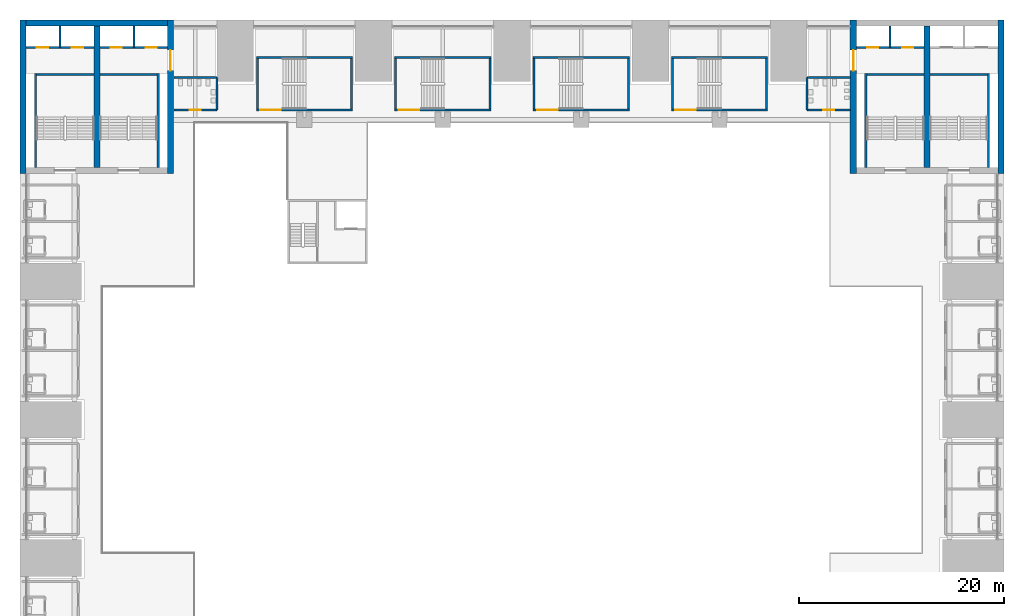
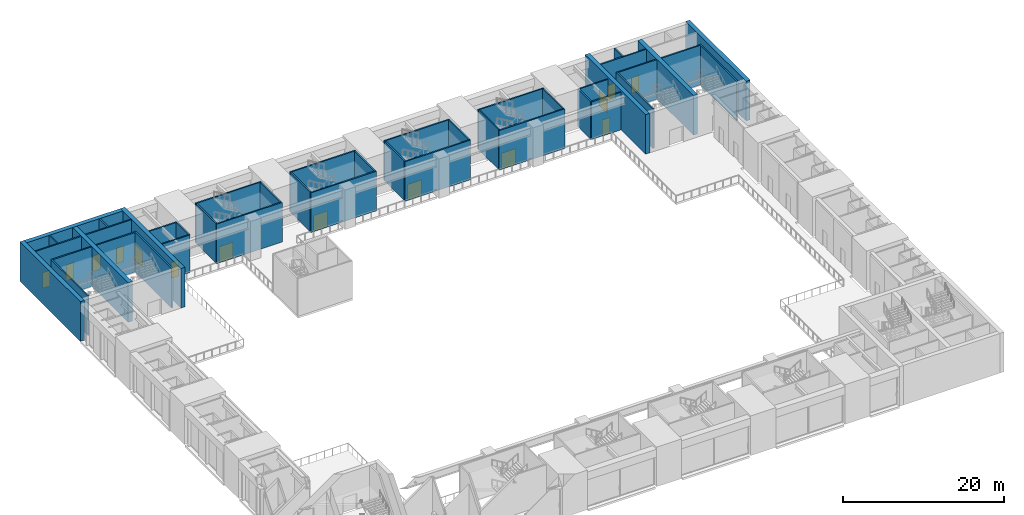
# One storey, part 18 of 43: 43 walls, 14 doors, 14 openings.
"""IFC4 building model written with IfcOpenShell, lengths in metres."""

import ifcopenshell
import ifcopenshell.guid

model = None  # the IFC model being written
_history = None  # IfcOwnerHistory: only IFC2X3 demands one
_inside = {}  # id of a spatial element -> (the spatial element, [elements in it])
_under = {}  # id of a project, library or spatial element -> (it, [spatial elements below it])
_declared = {}  # id of a project -> (the project, [libraries it declares])
_typed = {}  # id of a type object -> (the type object, [elements of that type])
_made_of = {}  # id of a material, layer set ... -> (it, [elements and type objects made of it])


def new_model(schema):
    """Start an empty IFC model of exactly this schema.

    Asked for "IFC4X3", IfcOpenShell would pick the latest addendum, in which some entities
    have other attributes; the version numbers below select the first issue.
    IFC2X3 requires an IfcOwnerHistory on every rooted entity: one is made here for all.
    """
    global model, _history
    if schema == "IFC4X3":
        model = ifcopenshell.file(schema_version=(4, 3, 0, 0))
    else:
        model = ifcopenshell.file(schema=schema)
    _inside.clear()
    _under.clear()
    _declared.clear()
    _typed.clear()
    _made_of.clear()
    _history = None
    if model.schema == "IFC2X3":
        org = make("IfcOrganization", Name="unknown")
        user = make(
            "IfcPersonAndOrganization",
            ThePerson=make("IfcPerson", FamilyName="unknown"),
            TheOrganization=org,
        )
        app = make(
            "IfcApplication",
            ApplicationDeveloper=org,
            Version="unknown",
            ApplicationFullName="unknown",
            ApplicationIdentifier="unknown",
        )
        _history = make(
            "IfcOwnerHistory",
            OwningUser=user,
            OwningApplication=app,
            ChangeAction="ADDED",
            CreationDate=0,
        )
    return model


def make(cls, **values):
    """One entity of the class cls with the attributes given. An attribute that is None is left unset."""
    return model.create_entity(
        cls, **{name: value for name, value in values.items() if value is not None}
    )


def rooted(cls, **values):
    """An entity with a GlobalId (a new one), such as an element, a storey or a relation."""
    return make(cls, GlobalId=ifcopenshell.guid.new(), OwnerHistory=_history, **values)


def si_unit(unit_type, name, prefix=None):
    """IfcSIUnit, for example si_unit("LENGTHUNIT", "METRE", prefix="MILLI")."""
    return make("IfcSIUnit", UnitType=unit_type, Prefix=prefix, Name=name)


def assignment(units):
    """IfcUnitAssignment: the units of a project."""
    return None if units is None else make("IfcUnitAssignment", Units=units)


def point(xyz):
    """IfcCartesianPoint."""
    return None if xyz is None else make("IfcCartesianPoint", Coordinates=xyz)


def direction(xyz):
    """IfcDirection."""
    return None if xyz is None else make("IfcDirection", DirectionRatios=xyz)


def frame(location, z_axis=None, x_axis=None):
    """IfcAxis2Placement3D, a coordinate frame: its origin and axes. An axis left out is left unset."""
    return make(
        "IfcAxis2Placement3D",
        Location=point(location),
        Axis=direction(z_axis),
        RefDirection=direction(x_axis),
    )


def frame_2d(location, x_axis=None):
    """IfcAxis2Placement2D, a coordinate frame in the plane: its origin and x axis."""
    return make(
        "IfcAxis2Placement2D", Location=point(location), RefDirection=direction(x_axis)
    )


def origin():
    """The frame at (0, 0, 0) with its axes left unset."""
    return frame((0.0, 0.0, 0.0))


def place(relative_to, where):
    """IfcLocalPlacement: puts the frame where relative to a parent placement (None: the world)."""
    return make(
        "IfcLocalPlacement", PlacementRelTo=relative_to, RelativePlacement=where
    )


def context(
    kind, dimensions, precision=None, world=None, true_north=None, identifier=None
):
    """IfcGeometricRepresentationContext, for example the 3D "Model" context."""
    return make(
        "IfcGeometricRepresentationContext",
        ContextIdentifier=identifier,
        ContextType=kind,
        CoordinateSpaceDimension=dimensions,
        Precision=precision,
        WorldCoordinateSystem=world,
        TrueNorth=true_north,
    )


def subcontext(parent, identifier, kind, view, scale=None):
    """IfcGeometricRepresentationSubContext, for example "Body" below "Model"."""
    return make(
        "IfcGeometricRepresentationSubContext",
        ContextIdentifier=identifier,
        ContextType=kind,
        ParentContext=parent,
        TargetScale=scale,
        TargetView=view,
    )


def project(units=None, contexts=None):
    """IfcProject with its units and contexts."""
    return rooted(
        "IfcProject",
        Name="project",
        RepresentationContexts=contexts,
        UnitsInContext=assignment(units),
    )


def spatial(cls, under=None, at=None, **own):
    """A site, building, storey or space (cls), placed at a placement, below another one or the project."""
    s = rooted(cls, ObjectPlacement=at, **own)
    if under is not None:
        _under.setdefault(under.id(), (under, []))[1].append(s)
    return s


def profile(cls, at=None, kind="AREA", **sizes):
    """A parametric profile (cls). Its sizes go by their IFC names, for example OverallWidth=200.0."""
    return make(cls, ProfileType=kind, Position=at, **sizes)


def rectangle(**sizes):
    """IfcRectangleProfileDef."""
    return profile("IfcRectangleProfileDef", **sizes)


def extrude(swept, where, along, depth):
    """IfcExtrudedAreaSolid: the profile swept, set in the frame where, extruded along a direction by depth."""
    return make(
        "IfcExtrudedAreaSolid",
        SweptArea=swept,
        Position=where,
        ExtrudedDirection=direction(along),
        Depth=depth,
    )


def shape(context_of_items, identifier, shape_type, items):
    """IfcShapeRepresentation: the items that make up one representation, for example the "Body"."""
    return make(
        "IfcShapeRepresentation",
        ContextOfItems=context_of_items,
        RepresentationIdentifier=identifier,
        RepresentationType=shape_type,
        Items=items,
    )


def material(Name=None, Category=None):
    """IfcMaterial."""
    return make("IfcMaterial", Name=Name, Category=Category)


def layer(
    of_material, thickness, ventilated=None, Name=None, Category=None, Priority=None
):
    """IfcMaterialLayer: one layer of a wall or slab, of a material (None: an air gap)."""
    return make(
        "IfcMaterialLayer",
        Material=of_material,
        LayerThickness=thickness,
        IsVentilated=ventilated,
        Name=Name,
        Category=Category,
        Priority=Priority,
    )


def layer_set(layers, Name=None):
    """IfcMaterialLayerSet."""
    return make("IfcMaterialLayerSet", MaterialLayers=layers, LayerSetName=Name)


def made_of(thing, what):
    """Note that an element or type object is made of a material, layer set ...; save() writes the relation."""
    if what is not None:
        _made_of.setdefault(what.id(), (what, []))[1].append(thing)
    return thing


def type_object(cls, material=None, **own):
    """A type object (cls), such as IfcWallType, which elements share."""
    return made_of(rooted(cls, **own), material)


def element(
    cls,
    number,
    at=None,
    inside=None,
    cuts=None,
    type_object=None,
    material=None,
    context=None,
    identifier="Body",
    shape_type=None,
    held_by="IfcProductDefinitionShape",
    body=None,
    shapes=None,
    **own,
):
    """One element of the class cls, such as IfcWall. Its Tag is "e" and its number.

    at: its placement. inside: the storey or other place that contains it. cuts: it is an
    opening in that element (IfcRelVoidsElement). A single representation is given by context,
    identifier, shape_type and body (its items); several are given by shapes. held_by: the class
    of the entity that holds the representations. save() writes the other relations.
    """
    e = rooted(cls, Tag="e%d" % number, ObjectPlacement=at, **own)
    if body is not None:
        shapes = [shape(context, identifier, shape_type, body)]
    if shapes is not None:
        e.Representation = make(held_by, Representations=shapes)
    if inside is not None:
        _inside.setdefault(inside.id(), (inside, []))[1].append(e)
    if cuts is not None:
        rooted(
            "IfcRelVoidsElement", RelatingBuildingElement=cuts, RelatedOpeningElement=e
        )
    if type_object is not None:
        _typed.setdefault(type_object.id(), (type_object, []))[1].append(e)
    return made_of(e, material)


def fill(opening, filler):
    """IfcRelFillsElement: the door or window that sits in an opening."""
    return rooted(
        "IfcRelFillsElement",
        RelatingOpeningElement=opening,
        RelatedBuildingElement=filler,
    )


def aggregate(whole, parts):
    """IfcRelAggregates: a whole, such as a stair, and the parts it consists of."""
    return rooted("IfcRelAggregates", RelatingObject=whole, RelatedObjects=parts)


def save(model, path):
    """Write the relations noted so far, then the file.

    IfcRelAggregates (storeys below a building ...), IfcRelContainedInSpatialStructure (elements
    in a storey), IfcRelDefinesByType, IfcRelAssociatesMaterial and IfcRelDeclares: one each for
    every whole, place, type object, material and project.
    """
    for whole, parts in _under.values():
        aggregate(whole, parts)
    for where, things in _inside.values():
        rooted(
            "IfcRelContainedInSpatialStructure",
            RelatedElements=things,
            RelatingStructure=where,
        )
    for kind, things in _typed.values():
        rooted("IfcRelDefinesByType", RelatedObjects=things, RelatingType=kind)
    for what, things in _made_of.values():
        rooted("IfcRelAssociatesMaterial", RelatedObjects=things, RelatingMaterial=what)
    for by, libraries in _declared.values():
        rooted("IfcRelDeclares", RelatingContext=by, RelatedDefinitions=libraries)
    model.write(path)


model = new_model("IFC4")

# Units and contexts
model_context = context("Model", 3, precision=1e-05, world=origin(), true_north=direction((0.0, 1.0)))
body_context = subcontext(model_context, "Body", "Model", "MODEL_VIEW")
ifc_project = project(units=[si_unit("LENGTHUNIT", "METRE"), si_unit("AREAUNIT", "SQUARE_METRE"), si_unit("VOLUMEUNIT", "CUBIC_METRE"), si_unit("PLANEANGLEUNIT", "RADIAN"), si_unit("MASSUNIT", "GRAM", prefix="KILO")], contexts=[model_context])

# Site, building, storey
site_placement = place(None, origin())
site = spatial("IfcSite", under=ifc_project, at=site_placement, CompositionType="ELEMENT")
building_placement = place(site_placement, origin())
building = spatial("IfcBuilding", under=site, at=building_placement, Name="Corbelhall Arena Tower", CompositionType="ELEMENT")
storey_placement = place(building_placement, frame((0.0, 0.0, 25.0)))
storey = spatial("IfcBuildingStorey", under=building, at=storey_placement, Name="L03", CompositionType="ELEMENT", Elevation=25.0)

# Wall, opening, door
ifc_material_1 = material(Name="Gypsum board on steel studs", Category="steel")
ifc_layer_1 = layer(ifc_material_1, 0.199951171875)
ifc_layer_set_1 = layer_set([ifc_layer_1], Name="AR-ROOM-WALL")
wall_type_1 = type_object("IfcWallType", Name="AR-ROOM-WALL", PredefinedType="PARTITIONING", material=ifc_layer_set_1)
wall_1_placement = place(storey_placement, frame((28.800048828125, 30.199951171875, 0.0), z_axis=(0.0, 0.0, 1.0), x_axis=(1.0, 0.0, 0.0)))
wall_1 = element("IfcWall", 1, at=wall_1_placement, inside=storey, type_object=wall_type_1, Name="Men's WC 1 wall", PredefinedType="PARTITIONING", context=body_context, shape_type="SweptSolid", body=[
    extrude(rectangle(XDim=4.199951171875, YDim=0.199951171875, at=frame_2d((2.10009765625, 0.0))), origin(), (0.0, 0.0, 1.0), 5.699951171875),
])
opening_1_placement = place(wall_1_placement, frame((1.550048828125, 0.0, 0.0)))
opening_1 = element("IfcOpeningElement", 2, at=opening_1_placement, cuts=wall_1, Name="Opening DA0415", PredefinedType="OPENING", context=body_context, shape_type="SweptSolid", body=[
    extrude(rectangle(XDim=1.10009765625, YDim=2.39990234375, at=frame_2d((0.550048828125, 1.199951171875))), frame((0.0, 0.10009765625, 0.0), z_axis=(0.0, -1.0, 0.0), x_axis=(1.0, 0.0, 0.0)), (0.0, 0.0, 1.0), 0.199951171875),
])
ifc_material_2 = material(Name="Timber", Category="wood")
door_type_1 = type_object("IfcDoorType", Name="AR-ROOM-DOOR", OperationType="DOUBLE_DOOR_SINGLE_SWING", PredefinedType="DOOR", material=ifc_material_2)
door_1_placement = place(opening_1_placement, origin())
door_1 = element("IfcDoor", 3, at=door_1_placement, inside=storey, type_object=door_type_1, Name="Men's WC 1 door", OperationType="DOUBLE_DOOR_SINGLE_SWING", OverallHeight=2.39990234375, OverallWidth=1.10009765625, PredefinedType="DOOR", context=body_context, shape_type="SweptSolid", body=[
    extrude(rectangle(XDim=1.10009765625, YDim=2.39990234375, at=frame_2d((0.550048828125, 1.199951171875))), frame((0.0, 0.02490234375, 0.0), z_axis=(0.0, -1.0, 0.0), x_axis=(1.0, 0.0, 0.0)), (0.0, 0.0, 1.0), 0.050048828125),
])
fill(opening_1, door_1)

# Walls
wall_2_placement = place(storey_placement, frame((28.800048828125, 30.199951171875, 0.0), z_axis=(0.0, 0.0, 1.0), x_axis=(0.0, 1.0, 0.0)))
element("IfcWall", 4, at=wall_2_placement, inside=storey, type_object=wall_type_1, Name="Men's WC 1 side wall", PredefinedType="PARTITIONING", context=body_context, shape_type="SweptSolid", body=[
    extrude(rectangle(XDim=3.199951171875, YDim=0.199951171875, at=frame_2d((1.60009765625, 0.0))), origin(), (0.0, 0.0, 1.0), 5.699951171875),
])
wall_3_placement = place(storey_placement, frame((28.800048828125, 33.39990234375, 0.0), z_axis=(0.0, 0.0, 1.0), x_axis=(1.0, 0.0, 0.0)))
element("IfcWall", 5, at=wall_3_placement, inside=storey, type_object=wall_type_1, Name="Men's WC 1 far wall", PredefinedType="PARTITIONING", context=body_context, shape_type="SweptSolid", body=[
    extrude(rectangle(XDim=4.199951171875, YDim=0.199951171875, at=frame_2d((2.10009765625, 0.0))), origin(), (0.0, 0.0, 1.0), 5.699951171875),
])

# Wall, opening, door
wall_4_placement = place(storey_placement, frame((-33.0, 30.199951171875, 0.0), z_axis=(0.0, 0.0, 1.0), x_axis=(1.0, 0.0, 0.0)))
wall_4 = element("IfcWall", 6, at=wall_4_placement, inside=storey, type_object=wall_type_1, Name="Women's WC 2 wall", PredefinedType="PARTITIONING", context=body_context, shape_type="SweptSolid", body=[
    extrude(rectangle(XDim=4.199951171875, YDim=0.199951171875, at=frame_2d((2.10009765625, 0.0))), origin(), (0.0, 0.0, 1.0), 5.699951171875),
])
opening_2_placement = place(wall_4_placement, frame((1.550048828125, 0.0, 0.0)))
opening_2 = element("IfcOpeningElement", 7, at=opening_2_placement, cuts=wall_4, Name="Opening DA0416", PredefinedType="OPENING", context=body_context, shape_type="SweptSolid", body=[
    extrude(rectangle(XDim=1.10009765625, YDim=2.39990234375, at=frame_2d((0.550048828125, 1.199951171875))), frame((0.0, 0.10009765625, 0.0), z_axis=(0.0, -1.0, 0.0), x_axis=(1.0, 0.0, 0.0)), (0.0, 0.0, 1.0), 0.199951171875),
])
door_2_placement = place(opening_2_placement, origin())
door_2 = element("IfcDoor", 8, at=door_2_placement, inside=storey, type_object=door_type_1, Name="Women's WC 2 door", OperationType="DOUBLE_DOOR_SINGLE_SWING", OverallHeight=2.39990234375, OverallWidth=1.10009765625, PredefinedType="DOOR", context=body_context, shape_type="SweptSolid", body=[
    extrude(rectangle(XDim=1.10009765625, YDim=2.39990234375, at=frame_2d((0.550048828125, 1.199951171875))), frame((0.0, 0.02490234375, 0.0), z_axis=(0.0, -1.0, 0.0), x_axis=(1.0, 0.0, 0.0)), (0.0, 0.0, 1.0), 0.050048828125),
])
fill(opening_2, door_2)

# Walls
wall_5_placement = place(storey_placement, frame((-28.800048828125, 30.199951171875, 0.0), z_axis=(0.0, 0.0, 1.0), x_axis=(0.0, 1.0, 0.0)))
element("IfcWall", 9, at=wall_5_placement, inside=storey, type_object=wall_type_1, Name="Women's WC 2 side wall", PredefinedType="PARTITIONING", context=body_context, shape_type="SweptSolid", body=[
    extrude(rectangle(XDim=3.199951171875, YDim=0.199951171875, at=frame_2d((1.60009765625, 0.0))), origin(), (0.0, 0.0, 1.0), 5.699951171875),
])
wall_6_placement = place(storey_placement, frame((-33.0, 33.39990234375, 0.0), z_axis=(0.0, 0.0, 1.0), x_axis=(1.0, 0.0, 0.0)))
element("IfcWall", 10, at=wall_6_placement, inside=storey, type_object=wall_type_1, Name="Women's WC 2 far wall", PredefinedType="PARTITIONING", context=body_context, shape_type="SweptSolid", body=[
    extrude(rectangle(XDim=4.199951171875, YDim=0.199951171875, at=frame_2d((2.10009765625, 0.0))), origin(), (0.0, 0.0, 1.0), 5.699951171875),
])

# Wall, openings, doors
ifc_material_3 = material(Name="Reinforced concrete C40/50", Category="concrete")
ifc_layer_2 = layer(ifc_material_3, 0.199951171875)
ifc_layer_set_2 = layer_set([ifc_layer_2], Name="AR-SHAFT-WALL")
wall_type_2 = type_object("IfcWallType", Name="AR-SHAFT-WALL", PredefinedType="SHEAR", material=ifc_layer_set_2)
wall_7_placement = place(storey_placement, frame((33.60009765625, 36.300048828125, 0.0), z_axis=(0.0, 0.0, 1.0), x_axis=(1.0, 0.0, 0.0)))
wall_7 = element("IfcWall", 11, at=wall_7_placement, inside=storey, type_object=wall_type_2, Name="Lift lobby wall NE", PredefinedType="SHEAR", context=body_context, shape_type="SweptSolid", body=[
    extrude(rectangle(XDim=6.599853515625, YDim=0.199951171875, at=frame_2d((3.2998046875, 0.0))), origin(), (0.0, 0.0, 1.0), 6.0),
])
opening_3_placement = place(wall_7_placement, frame((1.050048828125, 0.0, 0.0)))
opening_3 = element("IfcOpeningElement", 12, at=opening_3_placement, cuts=wall_7, Name="Opening LD0132", PredefinedType="OPENING", context=body_context, shape_type="SweptSolid", body=[
    extrude(rectangle(XDim=1.10009765625, YDim=2.39990234375, at=frame_2d((0.550048828125, 1.199951171875))), frame((0.0, 0.10009765625, 0.0), z_axis=(0.0, -1.0, 0.0), x_axis=(1.0, 0.0, 0.0)), (0.0, 0.0, 1.0), 0.199951171875),
])
opening_4_placement = place(wall_7_placement, frame((4.449951171875, 0.0, 0.0)))
opening_4 = element("IfcOpeningElement", 13, at=opening_4_placement, cuts=wall_7, Name="Opening LD0133", PredefinedType="OPENING", context=body_context, shape_type="SweptSolid", body=[
    extrude(rectangle(XDim=1.10009765625, YDim=2.39990234375, at=frame_2d((0.550048828125, 1.199951171875))), frame((0.0, 0.10009765625, 0.0), z_axis=(0.0, -1.0, 0.0), x_axis=(1.0, 0.0, 0.0)), (0.0, 0.0, 1.0), 0.199951171875),
])
ifc_material_4 = material(Name="Stainless steel A4", Category="steel")
door_type_2 = type_object("IfcDoorType", Name="AR-LANDING-DOOR", OperationType="DOUBLE_DOOR_SLIDING", PredefinedType="DOOR", material=ifc_material_4)
door_3_placement = place(opening_3_placement, origin())
door_3 = element("IfcDoor", 14, at=door_3_placement, inside=storey, type_object=door_type_2, Name="Landing door NE LF1 L03", OperationType="DOUBLE_DOOR_SLIDING", OverallHeight=2.39990234375, OverallWidth=1.10009765625, PredefinedType="DOOR", context=body_context, shape_type="SweptSolid", body=[
    extrude(rectangle(XDim=1.10009765625, YDim=2.39990234375, at=frame_2d((0.550048828125, 1.199951171875))), frame((0.0, 0.02490234375, 0.0), z_axis=(0.0, -1.0, 0.0), x_axis=(1.0, 0.0, 0.0)), (0.0, 0.0, 1.0), 0.050048828125),
])
fill(opening_3, door_3)
door_4_placement = place(opening_4_placement, origin())
door_4 = element("IfcDoor", 15, at=door_4_placement, inside=storey, type_object=door_type_2, Name="Landing door NE LF2 L03", OperationType="DOUBLE_DOOR_SLIDING", OverallHeight=2.39990234375, OverallWidth=1.10009765625, PredefinedType="DOOR", context=body_context, shape_type="SweptSolid", body=[
    extrude(rectangle(XDim=1.10009765625, YDim=2.39990234375, at=frame_2d((0.550048828125, 1.199951171875))), frame((0.0, 0.02490234375, 0.0), z_axis=(0.0, -1.0, 0.0), x_axis=(1.0, 0.0, 0.0)), (0.0, 0.0, 1.0), 0.050048828125),
])
fill(opening_4, door_4)

# Wall
wall_8_placement = place(storey_placement, frame((36.89990234375, 36.300048828125, 0.0), z_axis=(0.0, 0.0, 1.0), x_axis=(0.0, 1.0, 0.0)))
element("IfcWall", 16, at=wall_8_placement, inside=storey, type_object=wall_type_2, Name="Shaft wall NE", PredefinedType="SHEAR", context=body_context, shape_type="SweptSolid", body=[
    extrude(rectangle(XDim=2.099853515625, YDim=0.199951171875, at=frame_2d((1.0498046875, 0.0))), origin(), (0.0, 0.0, 1.0), 6.0),
])

# Wall, openings, doors
wall_9_placement = place(storey_placement, frame((-47.39990234375, 36.300048828125, 0.0), z_axis=(0.0, 0.0, 1.0), x_axis=(1.0, 0.0, 0.0)))
wall_9 = element("IfcWall", 17, at=wall_9_placement, inside=storey, type_object=wall_type_2, Name="Lift lobby wall NW", PredefinedType="SHEAR", context=body_context, shape_type="SweptSolid", body=[
    extrude(rectangle(XDim=6.599853515625, YDim=0.199951171875, at=frame_2d((3.2998046875, 0.0))), origin(), (0.0, 0.0, 1.0), 6.0),
])
opening_5_placement = place(wall_9_placement, frame((1.050048828125, 0.0, 0.0)))
opening_5 = element("IfcOpeningElement", 18, at=opening_5_placement, cuts=wall_9, Name="Opening LD0176", PredefinedType="OPENING", context=body_context, shape_type="SweptSolid", body=[
    extrude(rectangle(XDim=1.10009765625, YDim=2.39990234375, at=frame_2d((0.550048828125, 1.199951171875))), frame((0.0, 0.10009765625, 0.0), z_axis=(0.0, -1.0, 0.0), x_axis=(1.0, 0.0, 0.0)), (0.0, 0.0, 1.0), 0.199951171875),
])
opening_6_placement = place(wall_9_placement, frame((4.449951171875, 0.0, 0.0)))
opening_6 = element("IfcOpeningElement", 19, at=opening_6_placement, cuts=wall_9, Name="Opening LD0177", PredefinedType="OPENING", context=body_context, shape_type="SweptSolid", body=[
    extrude(rectangle(XDim=1.10009765625, YDim=2.39990234375, at=frame_2d((0.550048828125, 1.199951171875))), frame((0.0, 0.10009765625, 0.0), z_axis=(0.0, -1.0, 0.0), x_axis=(1.0, 0.0, 0.0)), (0.0, 0.0, 1.0), 0.199951171875),
])
door_5_placement = place(opening_5_placement, origin())
door_5 = element("IfcDoor", 20, at=door_5_placement, inside=storey, type_object=door_type_2, Name="Landing door NW LF3 L03", OperationType="DOUBLE_DOOR_SLIDING", OverallHeight=2.39990234375, OverallWidth=1.10009765625, PredefinedType="DOOR", context=body_context, shape_type="SweptSolid", body=[
    extrude(rectangle(XDim=1.10009765625, YDim=2.39990234375, at=frame_2d((0.550048828125, 1.199951171875))), frame((0.0, 0.02490234375, 0.0), z_axis=(0.0, -1.0, 0.0), x_axis=(1.0, 0.0, 0.0)), (0.0, 0.0, 1.0), 0.050048828125),
])
fill(opening_5, door_5)
door_6_placement = place(opening_6_placement, origin())
door_6 = element("IfcDoor", 21, at=door_6_placement, inside=storey, type_object=door_type_2, Name="Landing door NW LF4 L03", OperationType="DOUBLE_DOOR_SLIDING", OverallHeight=2.39990234375, OverallWidth=1.10009765625, PredefinedType="DOOR", context=body_context, shape_type="SweptSolid", body=[
    extrude(rectangle(XDim=1.10009765625, YDim=2.39990234375, at=frame_2d((0.550048828125, 1.199951171875))), frame((0.0, 0.02490234375, 0.0), z_axis=(0.0, -1.0, 0.0), x_axis=(1.0, 0.0, 0.0)), (0.0, 0.0, 1.0), 0.050048828125),
])
fill(opening_6, door_6)

wall_10_placement = place(storey_placement, frame((-40.199951171875, 36.300048828125, 0.0), z_axis=(0.0, 0.0, 1.0), x_axis=(1.0, 0.0, 0.0)))
wall_10 = element("IfcWall", 22, at=wall_10_placement, inside=storey, type_object=wall_type_2, Name="Lift lobby wall NW", PredefinedType="SHEAR", context=body_context, shape_type="SweptSolid", body=[
    extrude(rectangle(XDim=6.599853515625, YDim=0.199951171875, at=frame_2d((3.2998046875, 0.0))), origin(), (0.0, 0.0, 1.0), 6.0),
])
opening_7_placement = place(wall_10_placement, frame((1.050048828125, 0.0, 0.0)))
opening_7 = element("IfcOpeningElement", 23, at=opening_7_placement, cuts=wall_10, Name="Opening LD0178", PredefinedType="OPENING", context=body_context, shape_type="SweptSolid", body=[
    extrude(rectangle(XDim=1.10009765625, YDim=2.39990234375, at=frame_2d((0.550048828125, 1.199951171875))), frame((0.0, 0.10009765625, 0.0), z_axis=(0.0, -1.0, 0.0), x_axis=(1.0, 0.0, 0.0)), (0.0, 0.0, 1.0), 0.199951171875),
])
opening_8_placement = place(wall_10_placement, frame((4.449951171875, 0.0, 0.0)))
opening_8 = element("IfcOpeningElement", 24, at=opening_8_placement, cuts=wall_10, Name="Opening LD0179", PredefinedType="OPENING", context=body_context, shape_type="SweptSolid", body=[
    extrude(rectangle(XDim=1.10009765625, YDim=2.39990234375, at=frame_2d((0.550048828125, 1.199951171875))), frame((0.0, 0.10009765625, 0.0), z_axis=(0.0, -1.0, 0.0), x_axis=(1.0, 0.0, 0.0)), (0.0, 0.0, 1.0), 0.199951171875),
])
door_7_placement = place(opening_7_placement, origin())
door_7 = element("IfcDoor", 25, at=door_7_placement, inside=storey, type_object=door_type_2, Name="Landing door NW LF1 L03", OperationType="DOUBLE_DOOR_SLIDING", OverallHeight=2.39990234375, OverallWidth=1.10009765625, PredefinedType="DOOR", context=body_context, shape_type="SweptSolid", body=[
    extrude(rectangle(XDim=1.10009765625, YDim=2.39990234375, at=frame_2d((0.550048828125, 1.199951171875))), frame((0.0, 0.02490234375, 0.0), z_axis=(0.0, -1.0, 0.0), x_axis=(1.0, 0.0, 0.0)), (0.0, 0.0, 1.0), 0.050048828125),
])
fill(opening_7, door_7)
door_8_placement = place(opening_8_placement, origin())
door_8 = element("IfcDoor", 26, at=door_8_placement, inside=storey, type_object=door_type_2, Name="Landing door NW LF2 L03", OperationType="DOUBLE_DOOR_SLIDING", OverallHeight=2.39990234375, OverallWidth=1.10009765625, PredefinedType="DOOR", context=body_context, shape_type="SweptSolid", body=[
    extrude(rectangle(XDim=1.10009765625, YDim=2.39990234375, at=frame_2d((0.550048828125, 1.199951171875))), frame((0.0, 0.02490234375, 0.0), z_axis=(0.0, -1.0, 0.0), x_axis=(1.0, 0.0, 0.0)), (0.0, 0.0, 1.0), 0.050048828125),
])
fill(opening_8, door_8)

# Walls
for number, where, z_axis, x_axis, name in (
    (27, (-36.89990234375, 36.300048828125, 0.0), (0.0, 0.0, 1.0), (0.0, 1.0, 0.0), "Shaft wall NW"),
    (28, (-44.10009765625, 36.300048828125, 0.0), (0.0, 0.0, 1.0), (0.0, 1.0, 0.0), "Shaft wall NW"),
):
    element("IfcWall", number, at=place(storey_placement, frame(where, z_axis=z_axis, x_axis=x_axis)), inside=storey, type_object=wall_type_2, Name=name, PredefinedType="SHEAR", context=body_context, shape_type="SweptSolid", body=[
        extrude(rectangle(XDim=2.099853515625, YDim=0.199951171875, at=frame_2d((1.0498046875, 0.0))), origin(), (0.0, 0.0, 1.0), 6.0),
    ])

# Wall, opening, door
ifc_layer_3 = layer(ifc_material_3, 0.199951171875)
ifc_layer_set_3 = layer_set([ifc_layer_3], Name="AR-STAIR-WALL")
wall_type_3 = type_object("IfcWallType", Name="AR-STAIR-WALL", PredefinedType="SOLIDWALL", material=ifc_layer_set_3)
wall_11_placement = place(storey_placement, frame((-24.949951171875, 30.199951171875, 0.0), z_axis=(0.0, 0.0, 1.0), x_axis=(1.0, 0.0, 0.0)))
wall_11 = element("IfcWall", 29, at=wall_11_placement, inside=storey, type_object=wall_type_3, Name="Stair AS9 wall", PredefinedType="SOLIDWALL", context=body_context, shape_type="SweptSolid", body=[
    extrude(rectangle(XDim=9.39990234375, YDim=0.199951171875, at=frame_2d((4.699951171875, 0.0))), origin(), (0.0, 0.0, 1.0), 6.0),
])
opening_9_placement = place(wall_11_placement, frame((0.39990234375, 0.0, 0.0)))
opening_9 = element("IfcOpeningElement", 30, at=opening_9_placement, cuts=wall_11, Name="Opening DA0004", PredefinedType="OPENING", context=body_context, shape_type="SweptSolid", body=[
    extrude(rectangle(XDim=2.0, YDim=2.39990234375, at=frame_2d((1.0, 1.199951171875))), frame((0.0, 0.10009765625, 0.0), z_axis=(0.0, -1.0, 0.0), x_axis=(1.0, 0.0, 0.0)), (0.0, 0.0, 1.0), 0.199951171875),
])
ifc_material_5 = material(Name="Steel and glass", Category="steel")
door_type_3 = type_object("IfcDoorType", Name="AR-STAIR-DOOR", OperationType="DOUBLE_DOOR_SINGLE_SWING", PredefinedType="DOOR", material=ifc_material_5)
door_9_placement = place(opening_9_placement, origin())
door_9 = element("IfcDoor", 31, at=door_9_placement, inside=storey, type_object=door_type_3, Name="Stair AS9 door", OperationType="DOUBLE_DOOR_SINGLE_SWING", OverallHeight=2.39990234375, OverallWidth=2.0, PredefinedType="DOOR", context=body_context, shape_type="SweptSolid", body=[
    extrude(rectangle(XDim=2.0, YDim=2.39990234375, at=frame_2d((1.0, 1.199951171875))), frame((0.0, 0.02490234375, 0.0), z_axis=(0.0, -1.0, 0.0), x_axis=(1.0, 0.0, 0.0)), (0.0, 0.0, 1.0), 0.050048828125),
])
fill(opening_9, door_9)

# Walls
wall_12_placement = place(storey_placement, frame((-24.949951171875, 35.35009765625, 0.0), z_axis=(0.0, 0.0, 1.0), x_axis=(1.0, 0.0, 0.0)))
element("IfcWall", 32, at=wall_12_placement, inside=storey, type_object=wall_type_3, Name="Stair AS9 wall", PredefinedType="SOLIDWALL", context=body_context, shape_type="SweptSolid", body=[
    extrude(rectangle(XDim=9.39990234375, YDim=0.199951171875, at=frame_2d((4.699951171875, 0.0))), origin(), (0.0, 0.0, 1.0), 6.0),
])
for number, where, z_axis, x_axis, name in (
    (33, (-24.85009765625, 30.300048828125, 0.0), (0.0, 0.0, 1.0), (0.0, 1.0, 0.0), "Stair AS9 wall"),
    (34, (-15.64990234375, 30.300048828125, 0.0), (0.0, 0.0, 1.0), (0.0, 1.0, 0.0), "Stair AS9 wall"),
):
    element("IfcWall", number, at=place(storey_placement, frame(where, z_axis=z_axis, x_axis=x_axis)), inside=storey, type_object=wall_type_3, Name=name, PredefinedType="SOLIDWALL", context=body_context, shape_type="SweptSolid", body=[
        extrude(rectangle(XDim=4.949951171875, YDim=0.199951171875, at=frame_2d((2.47509765625, 0.0))), origin(), (0.0, 0.0, 1.0), 6.0),
    ])

# Wall, opening, door
wall_13_placement = place(storey_placement, frame((-11.449951171875, 30.199951171875, 0.0), z_axis=(0.0, 0.0, 1.0), x_axis=(1.0, 0.0, 0.0)))
wall_13 = element("IfcWall", 35, at=wall_13_placement, inside=storey, type_object=wall_type_3, Name="Stair AS10 wall", PredefinedType="SOLIDWALL", context=body_context, shape_type="SweptSolid", body=[
    extrude(rectangle(XDim=9.39990234375, YDim=0.199951171875, at=frame_2d((4.699951171875, 0.0))), origin(), (0.0, 0.0, 1.0), 6.0),
])
opening_10_placement = place(wall_13_placement, frame((0.39990234375, 0.0, 0.0)))
opening_10 = element("IfcOpeningElement", 36, at=opening_10_placement, cuts=wall_13, Name="Opening DA0010", PredefinedType="OPENING", context=body_context, shape_type="SweptSolid", body=[
    extrude(rectangle(XDim=2.0, YDim=2.39990234375, at=frame_2d((1.0, 1.199951171875))), frame((0.0, 0.10009765625, 0.0), z_axis=(0.0, -1.0, 0.0), x_axis=(1.0, 0.0, 0.0)), (0.0, 0.0, 1.0), 0.199951171875),
])
door_10_placement = place(opening_10_placement, origin())
door_10 = element("IfcDoor", 37, at=door_10_placement, inside=storey, type_object=door_type_3, Name="Stair AS10 door", OperationType="DOUBLE_DOOR_SINGLE_SWING", OverallHeight=2.39990234375, OverallWidth=2.0, PredefinedType="DOOR", context=body_context, shape_type="SweptSolid", body=[
    extrude(rectangle(XDim=2.0, YDim=2.39990234375, at=frame_2d((1.0, 1.199951171875))), frame((0.0, 0.02490234375, 0.0), z_axis=(0.0, -1.0, 0.0), x_axis=(1.0, 0.0, 0.0)), (0.0, 0.0, 1.0), 0.050048828125),
])
fill(opening_10, door_10)

# Walls
wall_14_placement = place(storey_placement, frame((-11.449951171875, 35.35009765625, 0.0), z_axis=(0.0, 0.0, 1.0), x_axis=(1.0, 0.0, 0.0)))
element("IfcWall", 38, at=wall_14_placement, inside=storey, type_object=wall_type_3, Name="Stair AS10 wall", PredefinedType="SOLIDWALL", context=body_context, shape_type="SweptSolid", body=[
    extrude(rectangle(XDim=9.39990234375, YDim=0.199951171875, at=frame_2d((4.699951171875, 0.0))), origin(), (0.0, 0.0, 1.0), 6.0),
])
for number, where, z_axis, x_axis, name in (
    (39, (-11.35009765625, 30.300048828125, 0.0), (0.0, 0.0, 1.0), (0.0, 1.0, 0.0), "Stair AS10 wall"),
    (40, (-2.14990234375, 30.300048828125, 0.0), (0.0, 0.0, 1.0), (0.0, 1.0, 0.0), "Stair AS10 wall"),
):
    element("IfcWall", number, at=place(storey_placement, frame(where, z_axis=z_axis, x_axis=x_axis)), inside=storey, type_object=wall_type_3, Name=name, PredefinedType="SOLIDWALL", context=body_context, shape_type="SweptSolid", body=[
        extrude(rectangle(XDim=4.949951171875, YDim=0.199951171875, at=frame_2d((2.47509765625, 0.0))), origin(), (0.0, 0.0, 1.0), 6.0),
    ])

# Wall, opening, door
wall_15_placement = place(storey_placement, frame((2.050048828125, 30.199951171875, 0.0), z_axis=(0.0, 0.0, 1.0), x_axis=(1.0, 0.0, 0.0)))
wall_15 = element("IfcWall", 41, at=wall_15_placement, inside=storey, type_object=wall_type_3, Name="Stair AS11 wall", PredefinedType="SOLIDWALL", context=body_context, shape_type="SweptSolid", body=[
    extrude(rectangle(XDim=9.39990234375, YDim=0.199951171875, at=frame_2d((4.699951171875, 0.0))), origin(), (0.0, 0.0, 1.0), 6.0),
])
opening_11_placement = place(wall_15_placement, frame((0.39990234375, 0.0, 0.0)))
opening_11 = element("IfcOpeningElement", 42, at=opening_11_placement, cuts=wall_15, Name="Opening DA0016", PredefinedType="OPENING", context=body_context, shape_type="SweptSolid", body=[
    extrude(rectangle(XDim=2.0, YDim=2.39990234375, at=frame_2d((1.0, 1.199951171875))), frame((0.0, 0.10009765625, 0.0), z_axis=(0.0, -1.0, 0.0), x_axis=(1.0, 0.0, 0.0)), (0.0, 0.0, 1.0), 0.199951171875),
])
door_11_placement = place(opening_11_placement, origin())
door_11 = element("IfcDoor", 43, at=door_11_placement, inside=storey, type_object=door_type_3, Name="Stair AS11 door", OperationType="DOUBLE_DOOR_SINGLE_SWING", OverallHeight=2.39990234375, OverallWidth=2.0, PredefinedType="DOOR", context=body_context, shape_type="SweptSolid", body=[
    extrude(rectangle(XDim=2.0, YDim=2.39990234375, at=frame_2d((1.0, 1.199951171875))), frame((0.0, 0.02490234375, 0.0), z_axis=(0.0, -1.0, 0.0), x_axis=(1.0, 0.0, 0.0)), (0.0, 0.0, 1.0), 0.050048828125),
])
fill(opening_11, door_11)

# Walls
wall_16_placement = place(storey_placement, frame((2.050048828125, 35.35009765625, 0.0), z_axis=(0.0, 0.0, 1.0), x_axis=(1.0, 0.0, 0.0)))
element("IfcWall", 44, at=wall_16_placement, inside=storey, type_object=wall_type_3, Name="Stair AS11 wall", PredefinedType="SOLIDWALL", context=body_context, shape_type="SweptSolid", body=[
    extrude(rectangle(XDim=9.39990234375, YDim=0.199951171875, at=frame_2d((4.699951171875, 0.0))), origin(), (0.0, 0.0, 1.0), 6.0),
])
for number, where, z_axis, x_axis, name in (
    (45, (2.14990234375, 30.300048828125, 0.0), (0.0, 0.0, 1.0), (0.0, 1.0, 0.0), "Stair AS11 wall"),
    (46, (11.35009765625, 30.300048828125, 0.0), (0.0, 0.0, 1.0), (0.0, 1.0, 0.0), "Stair AS11 wall"),
):
    element("IfcWall", number, at=place(storey_placement, frame(where, z_axis=z_axis, x_axis=x_axis)), inside=storey, type_object=wall_type_3, Name=name, PredefinedType="SOLIDWALL", context=body_context, shape_type="SweptSolid", body=[
        extrude(rectangle(XDim=4.949951171875, YDim=0.199951171875, at=frame_2d((2.47509765625, 0.0))), origin(), (0.0, 0.0, 1.0), 6.0),
    ])

# Wall, opening, door
wall_17_placement = place(storey_placement, frame((15.550048828125, 30.199951171875, 0.0), z_axis=(0.0, 0.0, 1.0), x_axis=(1.0, 0.0, 0.0)))
wall_17 = element("IfcWall", 47, at=wall_17_placement, inside=storey, type_object=wall_type_3, Name="Stair AS12 wall", PredefinedType="SOLIDWALL", context=body_context, shape_type="SweptSolid", body=[
    extrude(rectangle(XDim=9.39990234375, YDim=0.199951171875, at=frame_2d((4.699951171875, 0.0))), origin(), (0.0, 0.0, 1.0), 6.0),
])
opening_12_placement = place(wall_17_placement, frame((0.39990234375, 0.0, 0.0)))
opening_12 = element("IfcOpeningElement", 48, at=opening_12_placement, cuts=wall_17, Name="Opening DA0022", PredefinedType="OPENING", context=body_context, shape_type="SweptSolid", body=[
    extrude(rectangle(XDim=2.0, YDim=2.39990234375, at=frame_2d((1.0, 1.199951171875))), frame((0.0, 0.10009765625, 0.0), z_axis=(0.0, -1.0, 0.0), x_axis=(1.0, 0.0, 0.0)), (0.0, 0.0, 1.0), 0.199951171875),
])
door_12_placement = place(opening_12_placement, origin())
door_12 = element("IfcDoor", 49, at=door_12_placement, inside=storey, type_object=door_type_3, Name="Stair AS12 door", OperationType="DOUBLE_DOOR_SINGLE_SWING", OverallHeight=2.39990234375, OverallWidth=2.0, PredefinedType="DOOR", context=body_context, shape_type="SweptSolid", body=[
    extrude(rectangle(XDim=2.0, YDim=2.39990234375, at=frame_2d((1.0, 1.199951171875))), frame((0.0, 0.02490234375, 0.0), z_axis=(0.0, -1.0, 0.0), x_axis=(1.0, 0.0, 0.0)), (0.0, 0.0, 1.0), 0.050048828125),
])
fill(opening_12, door_12)

# Walls
wall_18_placement = place(storey_placement, frame((15.550048828125, 35.35009765625, 0.0), z_axis=(0.0, 0.0, 1.0), x_axis=(1.0, 0.0, 0.0)))
element("IfcWall", 50, at=wall_18_placement, inside=storey, type_object=wall_type_3, Name="Stair AS12 wall", PredefinedType="SOLIDWALL", context=body_context, shape_type="SweptSolid", body=[
    extrude(rectangle(XDim=9.39990234375, YDim=0.199951171875, at=frame_2d((4.699951171875, 0.0))), origin(), (0.0, 0.0, 1.0), 6.0),
])
for number, where, z_axis, x_axis, name in (
    (51, (15.64990234375, 30.300048828125, 0.0), (0.0, 0.0, 1.0), (0.0, 1.0, 0.0), "Stair AS12 wall"),
    (52, (24.85009765625, 30.300048828125, 0.0), (0.0, 0.0, 1.0), (0.0, 1.0, 0.0), "Stair AS12 wall"),
):
    element("IfcWall", number, at=place(storey_placement, frame(where, z_axis=z_axis, x_axis=x_axis)), inside=storey, type_object=wall_type_3, Name=name, PredefinedType="SOLIDWALL", context=body_context, shape_type="SweptSolid", body=[
        extrude(rectangle(XDim=4.949951171875, YDim=0.199951171875, at=frame_2d((2.47509765625, 0.0))), origin(), (0.0, 0.0, 1.0), 6.0),
    ])
wall_19_placement = place(storey_placement, frame((34.510009765625, 24.60009765625, 0.0), z_axis=(0.0, 0.0, 1.0), x_axis=(0.0, 1.0, 0.0)))
element("IfcWall", 53, at=wall_19_placement, inside=storey, type_object=wall_type_3, Name="Stair AS1 wall", PredefinedType="SOLIDWALL", context=body_context, shape_type="SweptSolid", body=[
    extrude(rectangle(XDim=9.199951171875, YDim=0.199951171875, at=frame_2d((4.60009765625, 0.0))), origin(), (0.0, 0.0, 1.0), 6.0),
])
wall_20_placement = place(storey_placement, frame((34.610107421875, 33.699951171875, 0.0), z_axis=(0.0, 0.0, 1.0), x_axis=(1.0, 0.0, 0.0)))
element("IfcWall", 54, at=wall_20_placement, inside=storey, type_object=wall_type_3, Name="Stair AS1 wall", PredefinedType="SOLIDWALL", context=body_context, shape_type="SweptSolid", body=[
    extrude(rectangle(XDim=5.58984375, YDim=0.199951171875, at=frame_2d((2.794921875, 0.0))), origin(), (0.0, 0.0, 1.0), 6.0),
])
wall_21_placement = place(storey_placement, frame((46.489990234375, 24.60009765625, 0.0), z_axis=(0.0, 0.0, 1.0), x_axis=(0.0, 1.0, 0.0)))
element("IfcWall", 55, at=wall_21_placement, inside=storey, type_object=wall_type_3, Name="Stair AS2 wall", PredefinedType="SOLIDWALL", context=body_context, shape_type="SweptSolid", body=[
    extrude(rectangle(XDim=9.199951171875, YDim=0.199951171875, at=frame_2d((4.60009765625, 0.0))), origin(), (0.0, 0.0, 1.0), 6.0),
])
wall_22_placement = place(storey_placement, frame((40.800048828125, 33.699951171875, 0.0), z_axis=(0.0, 0.0, 1.0), x_axis=(1.0, 0.0, 0.0)))
element("IfcWall", 56, at=wall_22_placement, inside=storey, type_object=wall_type_3, Name="Stair AS2 wall", PredefinedType="SOLIDWALL", context=body_context, shape_type="SweptSolid", body=[
    extrude(rectangle(XDim=5.58984375, YDim=0.199951171875, at=frame_2d((2.794921875, 0.0))), origin(), (0.0, 0.0, 1.0), 6.0),
])
wall_23_placement = place(storey_placement, frame((-34.510009765625, 24.60009765625, 0.0), z_axis=(0.0, 0.0, 1.0), x_axis=(0.0, 1.0, 0.0)))
element("IfcWall", 57, at=wall_23_placement, inside=storey, type_object=wall_type_3, Name="Stair AS3 wall", PredefinedType="SOLIDWALL", context=body_context, shape_type="SweptSolid", body=[
    extrude(rectangle(XDim=9.199951171875, YDim=0.199951171875, at=frame_2d((4.60009765625, 0.0))), origin(), (0.0, 0.0, 1.0), 6.0),
])
wall_24_placement = place(storey_placement, frame((-40.199951171875, 33.699951171875, 0.0), z_axis=(0.0, 0.0, 1.0), x_axis=(1.0, 0.0, 0.0)))
element("IfcWall", 58, at=wall_24_placement, inside=storey, type_object=wall_type_3, Name="Stair AS3 wall", PredefinedType="SOLIDWALL", context=body_context, shape_type="SweptSolid", body=[
    extrude(rectangle(XDim=5.58984375, YDim=0.199951171875, at=frame_2d((2.794921875, 0.0))), origin(), (0.0, 0.0, 1.0), 6.0),
])
wall_25_placement = place(storey_placement, frame((-46.489990234375, 24.60009765625, 0.0), z_axis=(0.0, 0.0, 1.0), x_axis=(0.0, 1.0, 0.0)))
element("IfcWall", 59, at=wall_25_placement, inside=storey, type_object=wall_type_3, Name="Stair AS4 wall", PredefinedType="SOLIDWALL", context=body_context, shape_type="SweptSolid", body=[
    extrude(rectangle(XDim=9.199951171875, YDim=0.199951171875, at=frame_2d((4.60009765625, 0.0))), origin(), (0.0, 0.0, 1.0), 6.0),
])
wall_26_placement = place(storey_placement, frame((-46.389892578125, 33.699951171875, 0.0), z_axis=(0.0, 0.0, 1.0), x_axis=(1.0, 0.0, 0.0)))
element("IfcWall", 60, at=wall_26_placement, inside=storey, type_object=wall_type_3, Name="Stair AS4 wall", PredefinedType="SOLIDWALL", context=body_context, shape_type="SweptSolid", body=[
    extrude(rectangle(XDim=5.58984375, YDim=0.199951171875, at=frame_2d((2.794921875, 0.0))), origin(), (0.0, 0.0, 1.0), 6.0),
])

# Wall, opening, door
ifc_material_6 = material(Name="Concrete C80/95", Category="concrete")
ifc_layer_4 = layer(ifc_material_6, 0.60009765625)
ifc_layer_set_4 = layer_set([ifc_layer_4], Name="PO-CORE-WALL")
wall_type_4 = type_object("IfcWallType", Name="PO-CORE-WALL", PredefinedType="SHEAR", material=ifc_layer_set_4)
wall_27_placement = place(storey_placement, frame((33.300048828125, 24.0, 0.0), z_axis=(0.0, 0.0, 1.0), x_axis=(0.0, 1.0, 0.0)))
wall_27 = element("IfcWall", 61, at=wall_27_placement, inside=storey, type_object=wall_type_4, Name="CORE NE WALL W L03", PredefinedType="SHEAR", context=body_context, shape_type="SweptSolid", body=[
    extrude(rectangle(XDim=15.0, YDim=0.60009765625, at=frame_2d((7.5, 0.0))), origin(), (0.0, 0.0, 1.0), 6.0),
])
opening_13_placement = place(wall_27_placement, frame((10.050048828125, 0.0, 0.0)))
opening_13 = element("IfcOpeningElement", 62, at=opening_13_placement, cuts=wall_27, Name="Opening DA0136", PredefinedType="OPENING", context=body_context, shape_type="SweptSolid", body=[
    extrude(rectangle(XDim=2.0, YDim=2.39990234375, at=frame_2d((1.0, 1.199951171875))), frame((0.0, 0.300048828125, 0.0), z_axis=(0.0, -1.0, 0.0), x_axis=(1.0, 0.0, 0.0)), (0.0, 0.0, 1.0), 0.60009765625),
])
door_type_4 = type_object("IfcDoorType", Name="AR-CORE-DOOR", OperationType="DOUBLE_DOOR_SINGLE_SWING", PredefinedType="DOOR", material=ifc_material_5)
door_13_placement = place(opening_13_placement, origin())
door_13 = element("IfcDoor", 63, at=door_13_placement, inside=storey, type_object=door_type_4, Name="Core lobby door NE L03", OperationType="DOUBLE_DOOR_SINGLE_SWING", OverallHeight=2.39990234375, OverallWidth=2.0, PredefinedType="DOOR", context=body_context, shape_type="SweptSolid", body=[
    extrude(rectangle(XDim=2.0, YDim=2.39990234375, at=frame_2d((1.0, 1.199951171875))), frame((0.0, 0.02490234375, 0.0), z_axis=(0.0, -1.0, 0.0), x_axis=(1.0, 0.0, 0.0)), (0.0, 0.0, 1.0), 0.050048828125),
])
fill(opening_13, door_13)

# Walls
wall_28_placement = place(storey_placement, frame((47.699951171875, 24.0, 0.0), z_axis=(0.0, 0.0, 1.0), x_axis=(0.0, 1.0, 0.0)))
element("IfcWall", 64, at=wall_28_placement, inside=storey, type_object=wall_type_4, Name="CORE NE WALL E L03", PredefinedType="SHEAR", context=body_context, shape_type="SweptSolid", body=[
    extrude(rectangle(XDim=15.0, YDim=0.60009765625, at=frame_2d((7.5, 0.0))), origin(), (0.0, 0.0, 1.0), 6.0),
])
for number, where, z_axis, x_axis, name in (
    (65, (40.5, 24.60009765625, 0.0), (0.0, 0.0, 1.0), (0.0, 1.0, 0.0), "CORE NE WALL D L03"),
    (66, (-47.39990234375, 38.699951171875, 0.0), (0.0, 0.0, 1.0), (1.0, 0.0, 0.0), "CORE NW WALL N L03"),
):
    element("IfcWall", number, at=place(storey_placement, frame(where, z_axis=z_axis, x_axis=x_axis)), inside=storey, type_object=wall_type_4, Name=name, PredefinedType="SHEAR", context=body_context, shape_type="SweptSolid", body=[
        extrude(rectangle(XDim=13.7998046875, YDim=0.60009765625, at=frame_2d((6.89990234375, 0.0))), origin(), (0.0, 0.0, 1.0), 6.0),
    ])
wall_29_placement = place(storey_placement, frame((-47.699951171875, 24.0, 0.0), z_axis=(0.0, 0.0, 1.0), x_axis=(0.0, 1.0, 0.0)))
element("IfcWall", 67, at=wall_29_placement, inside=storey, type_object=wall_type_4, Name="CORE NW WALL W L03", PredefinedType="SHEAR", context=body_context, shape_type="SweptSolid", body=[
    extrude(rectangle(XDim=15.0, YDim=0.60009765625, at=frame_2d((7.5, 0.0))), origin(), (0.0, 0.0, 1.0), 6.0),
])

# Wall, opening, door
wall_30_placement = place(storey_placement, frame((-33.300048828125, 24.0, 0.0), z_axis=(0.0, 0.0, 1.0), x_axis=(0.0, 1.0, 0.0)))
wall_30 = element("IfcWall", 68, at=wall_30_placement, inside=storey, type_object=wall_type_4, Name="CORE NW WALL E L03", PredefinedType="SHEAR", context=body_context, shape_type="SweptSolid", body=[
    extrude(rectangle(XDim=15.0, YDim=0.60009765625, at=frame_2d((7.5, 0.0))), origin(), (0.0, 0.0, 1.0), 6.0),
])
opening_14_placement = place(wall_30_placement, frame((10.050048828125, 0.0, 0.0)))
opening_14 = element("IfcOpeningElement", 69, at=opening_14_placement, cuts=wall_30, Name="Opening DA0180", PredefinedType="OPENING", context=body_context, shape_type="SweptSolid", body=[
    extrude(rectangle(XDim=2.0, YDim=2.39990234375, at=frame_2d((1.0, 1.199951171875))), frame((0.0, 0.300048828125, 0.0), z_axis=(0.0, -1.0, 0.0), x_axis=(1.0, 0.0, 0.0)), (0.0, 0.0, 1.0), 0.60009765625),
])
door_14_placement = place(opening_14_placement, origin())
door_14 = element("IfcDoor", 70, at=door_14_placement, inside=storey, type_object=door_type_4, Name="Core lobby door NW L03", OperationType="DOUBLE_DOOR_SINGLE_SWING", OverallHeight=2.39990234375, OverallWidth=2.0, PredefinedType="DOOR", context=body_context, shape_type="SweptSolid", body=[
    extrude(rectangle(XDim=2.0, YDim=2.39990234375, at=frame_2d((1.0, 1.199951171875))), frame((0.0, 0.02490234375, 0.0), z_axis=(0.0, -1.0, 0.0), x_axis=(1.0, 0.0, 0.0)), (0.0, 0.0, 1.0), 0.050048828125),
])
fill(opening_14, door_14)

# Wall
wall_31_placement = place(storey_placement, frame((-40.5, 24.60009765625, 0.0), z_axis=(0.0, 0.0, 1.0), x_axis=(0.0, 1.0, 0.0)))
element("IfcWall", 71, at=wall_31_placement, inside=storey, type_object=wall_type_4, Name="CORE NW WALL D L03", PredefinedType="SHEAR", context=body_context, shape_type="SweptSolid", body=[
    extrude(rectangle(XDim=13.7998046875, YDim=0.60009765625, at=frame_2d((6.89990234375, 0.0))), origin(), (0.0, 0.0, 1.0), 6.0),
])

save(model, "model.ifc")
